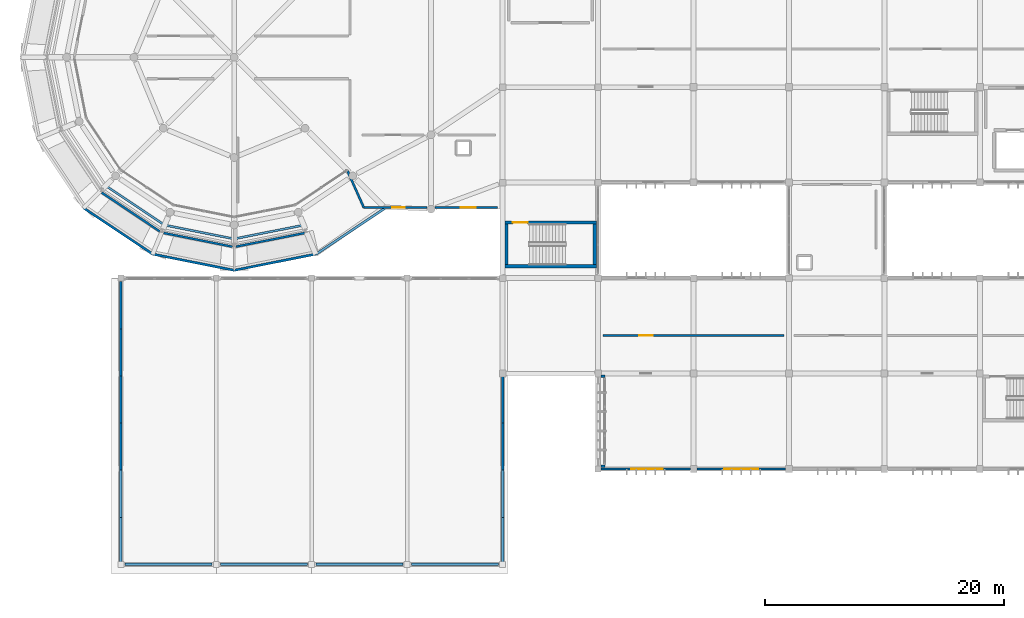
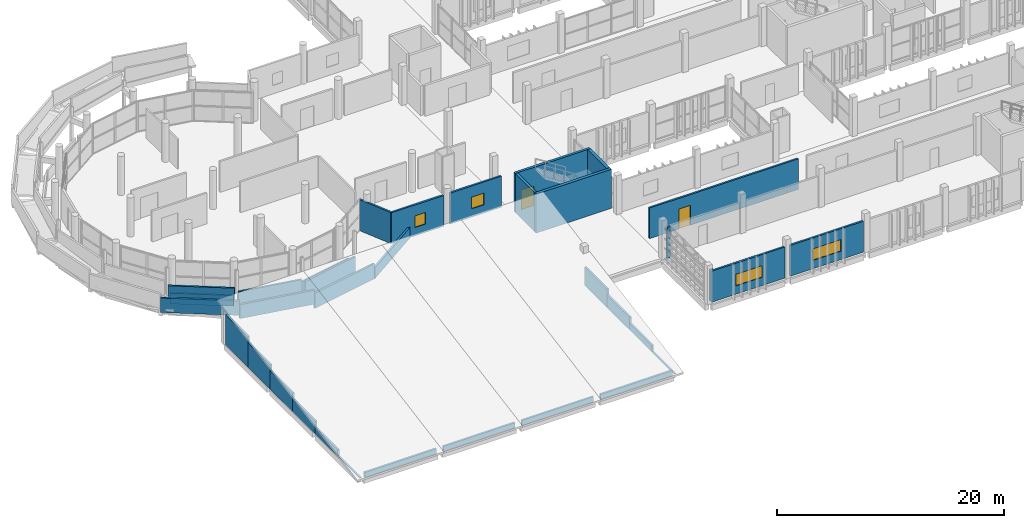
# One storey, part 63 of 83: 36 walls, 4 windows, 2 doors, 6 openings.
"""IFC4 building model written with IfcOpenShell, lengths in metres."""

from ifc_helpers import new_model, si_unit, direction, frame, frame_2d, origin, place, context, subcontext, project, spatial, rectangle, extrude, material, layer, layer_set, type_object, element, fill, save


model = new_model("IFC4")

# Units and contexts
model_context = context("Model", 3, precision=1e-05, world=origin(), true_north=direction((0.0, 1.0)))
body_context = subcontext(model_context, "Body", "Model", "MODEL_VIEW")
ifc_project = project(units=[si_unit("LENGTHUNIT", "METRE"), si_unit("AREAUNIT", "SQUARE_METRE"), si_unit("VOLUMEUNIT", "CUBIC_METRE"), si_unit("PLANEANGLEUNIT", "RADIAN"), si_unit("MASSUNIT", "GRAM", prefix="KILO")], contexts=[model_context])

# Site, building, storey
site_placement = place(None, origin())
site = spatial("IfcSite", under=ifc_project, at=site_placement, CompositionType="ELEMENT")
building_placement = place(site_placement, origin())
building = spatial("IfcBuilding", under=site, at=building_placement, Name="Jelvoka-Kovrelna Polytechnic", CompositionType="ELEMENT")
storey_placement = place(building_placement, frame((0.0, 0.0, 13.800048828125)))
storey = spatial("IfcBuildingStorey", under=building, at=storey_placement, Name="L04", CompositionType="ELEMENT", Elevation=13.800048828125)

# Wall, opening, door
ifc_material_1 = material(Name="Concrete C40/50", Category="concrete")
ifc_layer_1 = layer(ifc_material_1, 0.25)
ifc_layer_set_1 = layer_set([ifc_layer_1], Name="Concrete C40/50")
wall_type_1 = type_object("IfcWallType", Name="Wall_Core_250", PredefinedType="SOLIDWALL", material=ifc_layer_set_1)
wall_1_placement = place(storey_placement, frame((48.199951171875, 28.639892578125, 0.0), z_axis=(0.0, 0.0, 1.0), x_axis=(1.0, 0.0, 0.0)))
wall_1 = element("IfcWall", 1, at=wall_1_placement, inside=storey, type_object=wall_type_1, Name="L04 interior wall 0031", PredefinedType="SOLIDWALL", context=body_context, shape_type="SweptSolid", body=[
    extrude(rectangle(XDim=7.650146484375, YDim=0.25, at=frame_2d((3.8251953125, 0.0))), origin(), (0.0, 0.0, 1.0), 4.199951171875),
])
opening_1_placement = place(wall_1_placement, frame((0.64990234375, 0.0, 0.0)))
opening_1 = element("IfcOpeningElement", 2, at=opening_1_placement, cuts=wall_1, Name="Opening SD-L04-008", PredefinedType="OPENING", context=body_context, shape_type="SweptSolid", body=[
    extrude(rectangle(XDim=1.25, YDim=2.14990234375, at=frame_2d((0.625, 1.074951171875))), frame((0.0, 0.135009765625, 0.0), z_axis=(0.0, -1.0, 0.0), x_axis=(1.0, 0.0, 0.0)), (0.0, 0.0, 1.0), 0.27001953125),
])
ifc_material_2 = material(Name="Powder-coated steel fire door", Category="steel")
door_type_1 = type_object("IfcDoorType", Name="Door_Fire_FD02", OperationType="NOTDEFINED", PredefinedType="DOOR", material=ifc_material_2)
door_1_placement = place(opening_1_placement, origin())
door_1 = element("IfcDoor", 3, at=door_1_placement, inside=storey, type_object=door_type_1, Name="L04 interior door SD-L04-008", OperationType="SINGLE_SWING_LEFT", OverallHeight=2.14990234375, OverallWidth=1.25, PredefinedType="DOOR", context=body_context, shape_type="SweptSolid", body=[
    extrude(rectangle(XDim=1.25, YDim=2.14990234375, at=frame_2d((0.625, 1.074951171875))), frame((0.0, 0.02490234375, 0.0), z_axis=(0.0, -1.0, 0.0), x_axis=(1.0, 0.0, 0.0)), (0.0, 0.0, 1.0), 0.050048828125),
])
fill(opening_1, door_1)

# Wall
wall_2_placement = place(storey_placement, frame((48.324951171875, 25.14990234375, 0.0), z_axis=(0.0, 0.0, 1.0), x_axis=(0.0, 1.0, 0.0)))
element("IfcWall", 4, at=wall_2_placement, inside=storey, type_object=wall_type_1, Name="L04 interior wall 0032", PredefinedType="SOLIDWALL", context=body_context, shape_type="SweptSolid", body=[
    extrude(rectangle(XDim=3.360107421875, YDim=0.25, at=frame_2d((1.68017578125, 0.0))), origin(), (0.0, 0.0, 1.0), 4.199951171875),
])

# Wall, opening, door
ifc_material_3 = material(Name="Autoclaved aerated concrete blockwork", Category="masonry")
ifc_layer_2 = layer(ifc_material_3, 0.179931640625)
ifc_layer_set_2 = layer_set([ifc_layer_2], Name="Autoclaved aerated concrete blockwork")
wall_type_2 = type_object("IfcWallType", Name="Wall_Corridor_180", PredefinedType="PARTITIONING", material=ifc_layer_set_2)
wall_3_placement = place(storey_placement, frame((56.429931640625, 19.199951171875, 0.0), z_axis=(0.0, 0.0, 1.0), x_axis=(1.0, 0.0, 0.0)))
wall_3 = element("IfcWall", 5, at=wall_3_placement, inside=storey, type_object=wall_type_2, Name="L04 interior wall 1114", PredefinedType="PARTITIONING", context=body_context, shape_type="SweptSolid", body=[
    extrude(rectangle(XDim=15.14013671875, YDim=0.179931640625, at=frame_2d((7.570068359375, 0.0))), origin(), (0.0, 0.0, 1.0), 3.300048828125),
])
opening_2_placement = place(wall_3_placement, frame((3.0, 0.0, 0.0)))
opening_2 = element("IfcOpeningElement", 6, at=opening_2_placement, cuts=wall_3, Name="Opening D-L04-334", PredefinedType="OPENING", context=body_context, shape_type="SweptSolid", body=[
    extrude(rectangle(XDim=1.139892578125, YDim=2.14990234375, at=frame_2d((0.56982421875, 1.074951171875))), frame((0.0, 0.099853515625, 0.0), z_axis=(0.0, -1.0, 0.0), x_axis=(1.0, 0.0, 0.0)), (0.0, 0.0, 1.0), 0.199951171875),
])
ifc_material_4 = material(Name="Laboratory vision-panel door", Category="wood")
door_type_2 = type_object("IfcDoorType", Name="Door_Int_D11", OperationType="NOTDEFINED", PredefinedType="DOOR", material=ifc_material_4)
door_2_placement = place(opening_2_placement, origin())
door_2 = element("IfcDoor", 7, at=door_2_placement, inside=storey, type_object=door_type_2, Name="L04 interior door D-L04-334", OperationType="SINGLE_SWING_LEFT", OverallHeight=2.14990234375, OverallWidth=1.139892578125, PredefinedType="DOOR", context=body_context, shape_type="SweptSolid", body=[
    extrude(rectangle(XDim=1.139892578125, YDim=2.14990234375, at=frame_2d((0.56982421875, 1.074951171875))), frame((0.0, 0.02490234375, 0.0), z_axis=(0.0, -1.0, 0.0), x_axis=(1.0, 0.0, 0.0)), (0.0, 0.0, 1.0), 0.050048828125),
])
fill(opening_2, door_2)

# Wall, opening, window
ifc_material_5 = material(Name="Precast concrete C40/50", Category="concrete")
ifc_layer_3 = layer(ifc_material_5, 0.18505859375)
ifc_layer_set_3 = layer_set([ifc_layer_3], Name="Precast concrete C40/50")
wall_type_3 = type_object("IfcWallType", Name="Wall_Ext_White_260", PredefinedType="STANDARD", material=ifc_layer_set_3)
wall_4_placement = place(storey_placement, frame((63.72802734375, 8.0, 0.0), z_axis=(0.0, 0.0, 1.0), x_axis=(-1.0, 0.0, 0.0)))
wall_4 = element("IfcWall", 8, at=wall_4_placement, inside=storey, type_object=wall_type_3, Name="L04 exterior wall 0308", PredefinedType="STANDARD", context=body_context, shape_type="SweptSolid", body=[
    extrude(rectangle(XDim=7.48095703125, YDim=0.18505859375, at=frame_2d((3.740478515625, 0.0))), origin(), (0.0, 0.0, 1.0), 3.349853515625),
])
opening_3_placement = place(wall_4_placement, frame((2.30810546875, 0.0, 0.89990234375)))
opening_3 = element("IfcOpeningElement", 9, at=opening_3_placement, cuts=wall_4, Name="Opening W-L04-068", PredefinedType="OPENING", context=body_context, shape_type="SweptSolid", body=[
    extrude(rectangle(XDim=2.64990234375, YDim=1.25, at=frame_2d((1.324951171875, 0.625))), frame((0.0, 0.1025390625, 0.0), z_axis=(0.0, -1.0, 0.0), x_axis=(1.0, 0.0, 0.0)), (0.0, 0.0, 1.0), 0.205078125),
])
ifc_material_6 = material(Name="Thermally broken anodised aluminium and low-e glazing", Category="aluminium")
window_type_1 = type_object("IfcWindowType", Name="Win_Casement_W09", PartitioningType="DOUBLE_PANEL_VERTICAL", PredefinedType="WINDOW", material=ifc_material_6)
window_1_placement = place(opening_3_placement, origin())
window_1 = element("IfcWindow", 10, at=window_1_placement, inside=storey, type_object=window_type_1, Name="L04 aluminium casement window W-L04-068", OverallHeight=1.25, OverallWidth=2.64990234375, PartitioningType="DOUBLE_PANEL_VERTICAL", PredefinedType="WINDOW", context=body_context, shape_type="SweptSolid", body=[
    extrude(rectangle(XDim=2.64990234375, YDim=1.25, at=frame_2d((1.324951171875, 0.625))), frame((0.0, 0.030029296875, 0.0), z_axis=(0.0, -1.0, 0.0), x_axis=(1.0, 0.0, 0.0)), (0.0, 0.0, 1.0), 0.06005859375),
])
fill(opening_3, window_1)

wall_5_placement = place(storey_placement, frame((71.72802734375, 8.0, 0.0), z_axis=(0.0, 0.0, 1.0), x_axis=(-1.0, 0.0, 0.0)))
wall_5 = element("IfcWall", 11, at=wall_5_placement, inside=storey, type_object=wall_type_3, Name="L04 exterior wall 0310", PredefinedType="STANDARD", context=body_context, shape_type="SweptSolid", body=[
    extrude(rectangle(XDim=7.4560546875, YDim=0.18505859375, at=frame_2d((3.72802734375, 0.0))), origin(), (0.0, 0.0, 1.0), 3.324951171875),
])
opening_4_placement = place(wall_5_placement, frame((2.30810546875, 0.0, 0.89990234375)))
opening_4 = element("IfcOpeningElement", 12, at=opening_4_placement, cuts=wall_5, Name="Opening W-L04-070", PredefinedType="OPENING", context=body_context, shape_type="SweptSolid", body=[
    extrude(rectangle(XDim=2.85009765625, YDim=1.25, at=frame_2d((1.425048828125, 0.625))), frame((0.0, 0.1025390625, 0.0), z_axis=(0.0, -1.0, 0.0), x_axis=(1.0, 0.0, 0.0)), (0.0, 0.0, 1.0), 0.205078125),
])
ifc_material_7 = material(Name="Thermally broken anodised aluminium and low-e glazing", Category="aluminium")
window_type_2 = type_object("IfcWindowType", Name="Win_Casement_W10", PartitioningType="DOUBLE_PANEL_VERTICAL", PredefinedType="WINDOW", material=ifc_material_7)
window_2_placement = place(opening_4_placement, origin())
window_2 = element("IfcWindow", 13, at=window_2_placement, inside=storey, type_object=window_type_2, Name="L04 aluminium casement window W-L04-070", OverallHeight=1.25, OverallWidth=2.85009765625, PartitioningType="DOUBLE_PANEL_VERTICAL", PredefinedType="WINDOW", context=body_context, shape_type="SweptSolid", body=[
    extrude(rectangle(XDim=2.85009765625, YDim=1.25, at=frame_2d((1.425048828125, 0.625))), frame((0.0, 0.030029296875, 0.0), z_axis=(0.0, -1.0, 0.0), x_axis=(1.0, 0.0, 0.0)), (0.0, 0.0, 1.0), 0.06005859375),
])
fill(opening_4, window_2)

# Wall
wall_6_placement = place(storey_placement, frame((36.360107421875, 29.922119140625, 0.0), z_axis=(0.0, 0.0, 1.0), x_axis=(-0.40761125598, 0.913155553013, 0.0)))
element("IfcWall", 14, at=wall_6_placement, inside=storey, type_object=wall_type_3, Name="L04 exterior wall 1017", PredefinedType="STANDARD", context=body_context, shape_type="SweptSolid", body=[
    extrude(rectangle(XDim=3.39794921875, YDim=0.18505859375, at=frame_2d((1.698974609375, 0.0))), origin(), (0.0, 0.0, 1.0), 3.349853515625),
])

# Wall, opening, window
wall_7_placement = place(storey_placement, frame((41.677978515625, 29.922119140625, 0.0), z_axis=(0.0, 0.0, 1.0), x_axis=(-1.0, 0.0, 0.0)))
wall_7 = element("IfcWall", 15, at=wall_7_placement, inside=storey, type_object=wall_type_3, Name="L04 exterior wall 1018", PredefinedType="STANDARD", context=body_context, shape_type="SweptSolid", body=[
    extrude(rectangle(XDim=5.337890625, YDim=0.18505859375, at=frame_2d((2.6689453125, 0.0))), origin(), (0.0, 0.0, 1.0), 3.324951171875),
])
opening_5_placement = place(wall_7_placement, frame((1.8779296875, 0.0, 0.89990234375)))
opening_5 = element("IfcOpeningElement", 16, at=opening_5_placement, cuts=wall_7, Name="Opening W-L04-553", PredefinedType="OPENING", context=body_context, shape_type="SweptSolid", body=[
    extrude(rectangle(XDim=1.050048828125, YDim=1.25, at=frame_2d((0.52490234375, 0.625))), frame((0.0, 0.1025390625, 0.0), z_axis=(0.0, -1.0, 0.0), x_axis=(1.0, 0.0, 0.0)), (0.0, 0.0, 1.0), 0.205078125),
])
ifc_material_8 = material(Name="Thermally broken anodised aluminium and low-e glazing", Category="aluminium")
window_type_3 = type_object("IfcWindowType", Name="Win_Casement_W01", PartitioningType="SINGLE_PANEL", PredefinedType="WINDOW", material=ifc_material_8)
window_3_placement = place(opening_5_placement, origin())
window_3 = element("IfcWindow", 17, at=window_3_placement, inside=storey, type_object=window_type_3, Name="L04 aluminium casement window W-L04-553", OverallHeight=1.25, OverallWidth=1.050048828125, PartitioningType="SINGLE_PANEL", PredefinedType="WINDOW", context=body_context, shape_type="SweptSolid", body=[
    extrude(rectangle(XDim=1.050048828125, YDim=1.25, at=frame_2d((0.52490234375, 0.625))), frame((0.0, 0.030029296875, 0.0), z_axis=(0.0, -1.0, 0.0), x_axis=(1.0, 0.0, 0.0)), (0.0, 0.0, 1.0), 0.06005859375),
])
fill(opening_5, window_3)

wall_8_placement = place(storey_placement, frame((47.550048828125, 29.922119140625, 0.0), z_axis=(0.0, 0.0, 1.0), x_axis=(-1.0, 0.0, 0.0)))
wall_8 = element("IfcWall", 18, at=wall_8_placement, inside=storey, type_object=wall_type_3, Name="L04 exterior wall 1019", PredefinedType="STANDARD", context=body_context, shape_type="SweptSolid", body=[
    extrude(rectangle(XDim=5.22802734375, YDim=0.18505859375, at=frame_2d((2.614013671875, 0.0))), origin(), (0.0, 0.0, 1.0), 3.349853515625),
])
opening_6_placement = place(wall_8_placement, frame((1.800048828125, 0.0, 0.89990234375)))
opening_6 = element("IfcOpeningElement", 19, at=opening_6_placement, cuts=wall_8, Name="Opening W-L04-554", PredefinedType="OPENING", context=body_context, shape_type="SweptSolid", body=[
    extrude(rectangle(XDim=1.25, YDim=1.25, at=frame_2d((0.625, 0.625))), frame((0.0, 0.1025390625, 0.0), z_axis=(0.0, -1.0, 0.0), x_axis=(1.0, 0.0, 0.0)), (0.0, 0.0, 1.0), 0.205078125),
])
ifc_material_9 = material(Name="Thermally broken anodised aluminium and low-e glazing", Category="aluminium")
window_type_4 = type_object("IfcWindowType", Name="Win_Casement_W02", PartitioningType="SINGLE_PANEL", PredefinedType="WINDOW", material=ifc_material_9)
window_4_placement = place(opening_6_placement, origin())
window_4 = element("IfcWindow", 20, at=window_4_placement, inside=storey, type_object=window_type_4, Name="L04 aluminium casement window W-L04-554", OverallHeight=1.25, OverallWidth=1.25, PartitioningType="SINGLE_PANEL", PredefinedType="WINDOW", context=body_context, shape_type="SweptSolid", body=[
    extrude(rectangle(XDim=1.25, YDim=1.25, at=frame_2d((0.625, 0.625))), frame((0.0, 0.030029296875, 0.0), z_axis=(0.0, -1.0, 0.0), x_axis=(1.0, 0.0, 0.0)), (0.0, 0.0, 1.0), 0.06005859375),
])
fill(opening_6, window_4)

# Walls
ifc_material_10 = material(Name="Precast concrete C40/50", Category="concrete")
ifc_layer_4 = layer(ifc_material_10, 0.179931640625)
ifc_layer_set_4 = layer_set([ifc_layer_4], Name="Precast concrete C40/50")
wall_type_4 = type_object("IfcWallType", Name="Wall_Parapet_180", PredefinedType="PARAPET", material=ifc_layer_set_4)
for number, where, z_axis, x_axis, name in (
    (21, (14.870849609375, 31.64892578125, 0.0), (0.0, 0.0, 1.0), (0.831481620435, -0.555552261158, 0.0), "L04 exterior wall 1010"),
    (22, (19.83251953125, 28.407470703125, 0.0), (0.0, 0.0, 1.0), (0.980782378932, -0.19510490813, 0.0), "L04 exterior wall 1011"),
    (23, (25.656982421875, 27.311279296875, 0.0), (0.0, 0.0, 1.0), (0.980782378932, 0.19510490813, 0.0), "L04 exterior wall 1012"),
):
    element("IfcWall", number, at=place(storey_placement, frame(where, z_axis=z_axis, x_axis=x_axis)), inside=storey, type_object=wall_type_4, Name=name, PredefinedType="PARAPET", context=body_context, shape_type="SweptSolid", body=[
        extrude(rectangle(XDim=5.618408203125, YDim=0.179931640625, at=frame_2d((2.80908203125, 0.0))), origin(), (0.0, 0.0, 1.0), 1.14990234375),
    ])
wall_9_placement = place(storey_placement, frame((31.427734375, 27.779052734375, 0.010009765625), z_axis=(0.0, 0.0, 1.0), x_axis=(-0.980782832021, -0.195102630459, 0.0)))
element("IfcWall", 24, at=wall_9_placement, inside=storey, type_object=wall_type_4, Name="L04 exterior wall 1100", PredefinedType="PARAPET", context=body_context, shape_type="SweptSolid", body=[
    extrude(rectangle(XDim=5.8837890625, YDim=0.179931640625, at=frame_2d((2.94189453125, 0.0))), origin(), (0.0, 0.0, 1.0), 1.619873046875),
])
wall_10_placement = place(storey_placement, frame((25.343017578125, 26.631103515625, 0.489990234375), z_axis=(0.0, 0.0, 1.0), x_axis=(-0.980782832021, 0.195102630459, 0.0)))
element("IfcWall", 25, at=wall_10_placement, inside=storey, type_object=wall_type_4, Name="L04 exterior wall 1102", PredefinedType="PARAPET", context=body_context, shape_type="SweptSolid", body=[
    extrude(rectangle(XDim=5.8837890625, YDim=0.179931640625, at=frame_2d((2.94189453125, 0.0))), origin(), (0.0, 0.0, 1.0), 1.5),
])
wall_11_placement = place(storey_placement, frame((19.2822265625, 27.899169921875, 0.849853515625), z_axis=(0.0, 0.0, 1.0), x_axis=(-0.831462553548, 0.555580797046, 0.0)))
element("IfcWall", 26, at=wall_11_placement, inside=storey, type_object=wall_type_4, Name="L04 exterior wall 1104", PredefinedType="PARAPET", context=body_context, shape_type="SweptSolid", body=[
    extrude(rectangle(XDim=5.884033203125, YDim=0.179931640625, at=frame_2d((2.94189453125, 0.0))), origin(), (0.0, 0.0, 1.0), 1.56005859375),
])
ifc_material_11 = material(Name="Precast concrete C40/50", Category="concrete")
ifc_layer_5 = layer(ifc_material_11, 0.199951171875)
ifc_layer_set_5 = layer_set([ifc_layer_5], Name="Precast concrete C40/50")
wall_type_5 = type_object("IfcWallType", Name="Wall_Parapet_200", PredefinedType="PARAPET", material=ifc_layer_set_5)
for number, where, z_axis, x_axis, name in (
    (27, (56.239990234375, 8.219970703125, 0.0), (0.0, 0.0, 1.0), (1.0, 0.0, 0.0), "L04 exterior wall 0332"),
    (28, (56.239990234375, 15.780029296875, 0.0), (0.0, 0.0, 1.0), (1.0, 0.0, 0.0), "L04 exterior wall 0333"),
):
    element("IfcWall", number, at=place(storey_placement, frame(where, z_axis=z_axis, x_axis=x_axis)), inside=storey, type_object=wall_type_5, Name=name, PredefinedType="PARAPET", context=body_context, shape_type="SweptSolid", body=[
        extrude(rectangle(XDim=0.320068359375, YDim=0.199951171875, at=frame_2d((0.16015625, 0.0))), origin(), (0.0, 0.0, 1.0), 3.349853515625),
    ])
wall_12_placement = place(storey_placement, frame((32.34228515625, 25.98095703125, 0.0), z_axis=(0.0, 0.0, 1.0), x_axis=(0.831468390799, 0.555572061125, 0.0)))
element("IfcWall", 29, at=wall_12_placement, inside=storey, type_object=wall_type_5, Name="L04 exterior wall 1002", PredefinedType="PARAPET", context=body_context, shape_type="SweptSolid", body=[
    extrude(rectangle(XDim=6.9765625, YDim=0.199951171875, at=frame_2d((3.48828125, 0.0))), origin(), (0.0, 0.0, 1.0), 1.14990234375),
])
wall_13_placement = place(storey_placement, frame((32.330810546875, 26.0087890625, 0.010009765625), z_axis=(0.0, 0.0, 1.0), x_axis=(-0.9807810487, -0.19511159502, 0.0)))
element("IfcWall", 30, at=wall_13_placement, inside=storey, type_object=wall_type_5, Name="L04 exterior wall 1099", PredefinedType="PARAPET", context=body_context, shape_type="SweptSolid", body=[
    extrude(rectangle(XDim=6.964599609375, YDim=0.199951171875, at=frame_2d((3.482421875, 0.0))), origin(), (0.0, 0.0, 1.0), 1.619873046875),
])
wall_14_placement = place(storey_placement, frame((25.5, 24.64990234375, 0.489990234375), z_axis=(0.0, 0.0, 1.0), x_axis=(-0.9807810487, 0.19511159502, 0.0)))
element("IfcWall", 31, at=wall_14_placement, inside=storey, type_object=wall_type_5, Name="L04 exterior wall 1101", PredefinedType="PARAPET", context=body_context, shape_type="SweptSolid", body=[
    extrude(rectangle(XDim=6.964599609375, YDim=0.199951171875, at=frame_2d((3.482421875, 0.0))), origin(), (0.0, 0.0, 1.0), 1.5),
])
wall_15_placement = place(storey_placement, frame((18.669189453125, 26.0087890625, 0.849853515625), z_axis=(0.0, 0.0, 1.0), x_axis=(-0.831472806966, 0.555565451838, 0.0)))
element("IfcWall", 32, at=wall_15_placement, inside=storey, type_object=wall_type_5, Name="L04 exterior wall 1103", PredefinedType="PARAPET", context=body_context, shape_type="SweptSolid", body=[
    extrude(rectangle(XDim=6.96484375, YDim=0.199951171875, at=frame_2d((3.482421875, 0.0))), origin(), (0.0, 0.0, 1.0), 1.56005859375),
])
for number, where, z_axis, x_axis, name in (
    (33, (23.64990234375, 0.0, -0.02001953125), (0.0, 0.0, 1.0), (-1.0, 0.0, 0.0), "L04 exterior wall 1151"),
    (34, (31.64990234375, 0.0, -0.02001953125), (0.0, 0.0, 1.0), (-1.0, 0.0, 0.0), "L04 exterior wall 1152"),
    (35, (39.64990234375, 0.0, -0.02001953125), (0.0, 0.0, 1.0), (-1.0, 0.0, 0.0), "L04 exterior wall 1153"),
    (36, (47.64990234375, 0.0, -0.02001953125), (0.0, 0.0, 1.0), (-1.0, 0.0, 0.0), "L04 exterior wall 1154"),
):
    element("IfcWall", number, at=place(storey_placement, frame(where, z_axis=z_axis, x_axis=x_axis)), inside=storey, type_object=wall_type_5, Name=name, PredefinedType="PARAPET", context=body_context, shape_type="SweptSolid", body=[
        extrude(rectangle(XDim=7.2998046875, YDim=0.199951171875, at=frame_2d((3.64990234375, 0.0))), origin(), (0.0, 0.0, 1.0), 0.5400390625),
    ])
for number, where, z_axis, x_axis, name in (
    (37, (16.0, 0.0, -0.02001953125), (0.0, 0.0, 1.0), (0.0, 1.0, 0.0), "L04 exterior wall 1155"),
    (38, (48.0, 3.949951171875, -0.02001953125), (0.0, 0.0, 1.0), (0.0, -1.0, 0.0), "L04 exterior wall 1156"),
):
    element("IfcWall", number, at=place(storey_placement, frame(where, z_axis=z_axis, x_axis=x_axis)), inside=storey, type_object=wall_type_5, Name=name, PredefinedType="PARAPET", context=body_context, shape_type="SweptSolid", body=[
        extrude(rectangle(XDim=3.949951171875, YDim=0.199951171875, at=frame_2d((1.97509765625, 0.0))), origin(), (0.0, 0.0, 1.0), 0.06005859375),
    ])
for number, where, z_axis, x_axis, name in (
    (39, (16.0, 3.949951171875, -0.02001953125), (0.0, 0.0, 1.0), (0.0, 1.0, 0.0), "L04 exterior wall 1157"),
    (40, (48.0, 7.89990234375, -0.02001953125), (0.0, 0.0, 1.0), (0.0, -1.0, 0.0), "L04 exterior wall 1158"),
):
    element("IfcWall", number, at=place(storey_placement, frame(where, z_axis=z_axis, x_axis=x_axis)), inside=storey, type_object=wall_type_5, Name=name, PredefinedType="PARAPET", context=body_context, shape_type="SweptSolid", body=[
        extrude(rectangle(XDim=3.949951171875, YDim=0.199951171875, at=frame_2d((1.97509765625, 0.0))), origin(), (0.0, 0.0, 1.0), 0.703857421875),
    ])
for number, where, z_axis, x_axis, name in (
    (41, (16.0, 7.89990234375, -0.02001953125), (0.0, 0.0, 1.0), (0.0, 1.0, 0.0), "L04 exterior wall 1159"),
    (42, (48.0, 11.85009765625, -0.02001953125), (0.0, 0.0, 1.0), (0.0, -1.0, 0.0), "L04 exterior wall 1160"),
):
    element("IfcWall", number, at=place(storey_placement, frame(where, z_axis=z_axis, x_axis=x_axis)), inside=storey, type_object=wall_type_5, Name=name, PredefinedType="PARAPET", context=body_context, shape_type="SweptSolid", body=[
        extrude(rectangle(XDim=3.9501953125, YDim=0.199951171875, at=frame_2d((1.97509765625, 0.0))), origin(), (0.0, 0.0, 1.0), 1.34765625),
    ])
for number, where, z_axis, x_axis, name in (
    (43, (16.0, 11.85009765625, -0.02001953125), (0.0, 0.0, 1.0), (0.0, 1.0, 0.0), "L04 exterior wall 1161"),
    (44, (48.0, 15.800048828125, -0.02001953125), (0.0, 0.0, 1.0), (0.0, -1.0, 0.0), "L04 exterior wall 1162"),
):
    element("IfcWall", number, at=place(storey_placement, frame(where, z_axis=z_axis, x_axis=x_axis)), inside=storey, type_object=wall_type_5, Name=name, PredefinedType="PARAPET", context=body_context, shape_type="SweptSolid", body=[
        extrude(rectangle(XDim=3.949951171875, YDim=0.199951171875, at=frame_2d((1.97509765625, 0.0))), origin(), (0.0, 0.0, 1.0), 1.991455078125),
    ])
wall_16_placement = place(storey_placement, frame((16.0, 15.800048828125, -0.02001953125), z_axis=(0.0, 0.0, 1.0), x_axis=(0.0, 1.0, 0.0)))
element("IfcWall", 45, at=wall_16_placement, inside=storey, type_object=wall_type_5, Name="L04 exterior wall 1163", PredefinedType="PARAPET", context=body_context, shape_type="SweptSolid", body=[
    extrude(rectangle(XDim=3.949951171875, YDim=0.199951171875, at=frame_2d((1.97509765625, 0.0))), origin(), (0.0, 0.0, 1.0), 2.63525390625),
])
wall_17_placement = place(storey_placement, frame((16.0, 19.75, -0.02001953125), z_axis=(0.0, 0.0, 1.0), x_axis=(0.0, 1.0, 0.0)))
element("IfcWall", 46, at=wall_17_placement, inside=storey, type_object=wall_type_5, Name="L04 exterior wall 1164", PredefinedType="PARAPET", context=body_context, shape_type="SweptSolid", body=[
    extrude(rectangle(XDim=3.949951171875, YDim=0.199951171875, at=frame_2d((1.97509765625, 0.0))), origin(), (0.0, 0.0, 1.0), 3.279052734375),
])
ifc_material_12 = material(Name="Concrete C40/50", Category="concrete")
ifc_layer_6 = layer(ifc_material_12, 0.300048828125)
ifc_layer_set_6 = layer_set([ifc_layer_6], Name="Concrete C40/50")
wall_type_6 = type_object("IfcWallType", Name="Wall_Shear_300", PredefinedType="SHEAR", material=ifc_layer_set_6)
wall_18_placement = place(storey_placement, frame((48.199951171875, 24.989990234375, 0.0), z_axis=(0.0, 0.0, 1.0), x_axis=(1.0, 0.0, 0.0)))
element("IfcWall", 47, at=wall_18_placement, inside=storey, type_object=wall_type_6, Name="L04 interior wall 0029", PredefinedType="SHEAR", context=body_context, shape_type="SweptSolid", body=[
    extrude(rectangle(XDim=7.650146484375, YDim=0.300048828125, at=frame_2d((3.8251953125, 0.0))), origin(), (0.0, 0.0, 1.0), 4.199951171875),
])
wall_19_placement = place(storey_placement, frame((55.7099609375, 25.14990234375, 0.0), z_axis=(0.0, 0.0, 1.0), x_axis=(0.0, 1.0, 0.0)))
element("IfcWall", 48, at=wall_19_placement, inside=storey, type_object=wall_type_6, Name="L04 interior wall 0030", PredefinedType="SHEAR", context=body_context, shape_type="SweptSolid", body=[
    extrude(rectangle(XDim=3.360107421875, YDim=0.300048828125, at=frame_2d((1.68017578125, 0.0))), origin(), (0.0, 0.0, 1.0), 4.199951171875),
])

save(model, "model.ifc")
